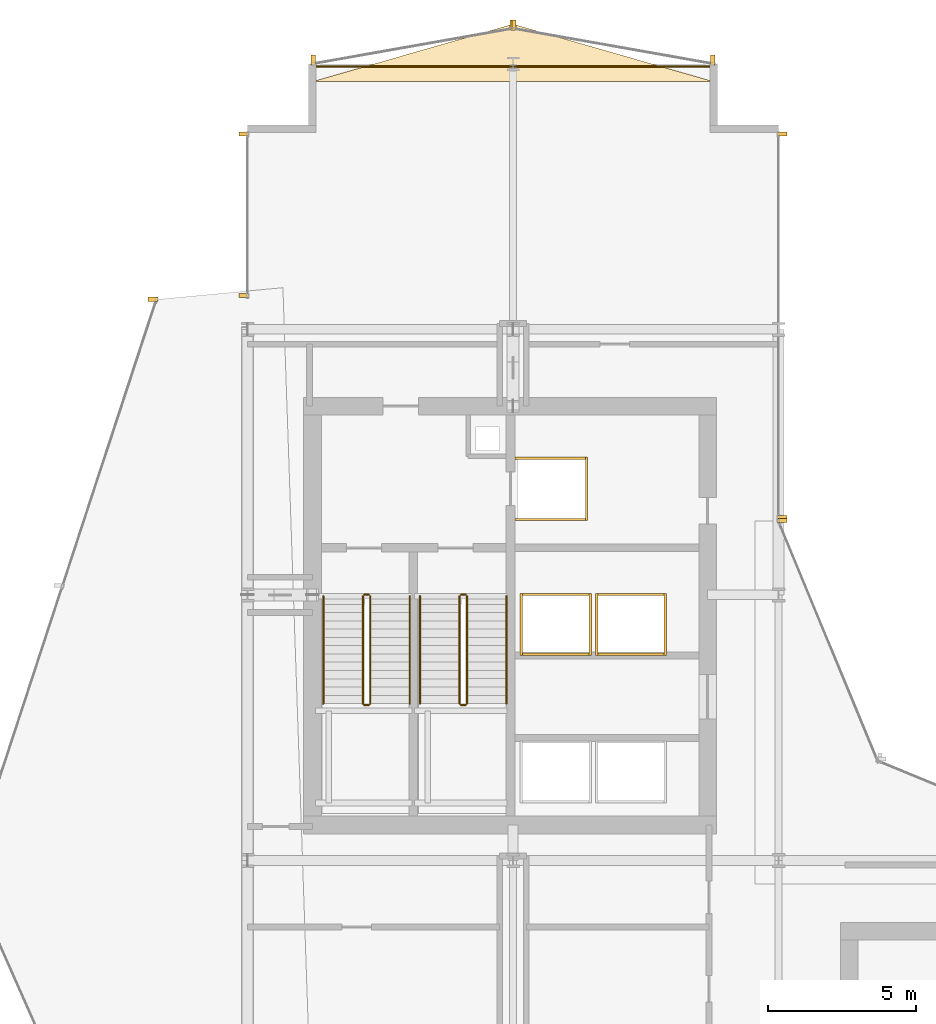
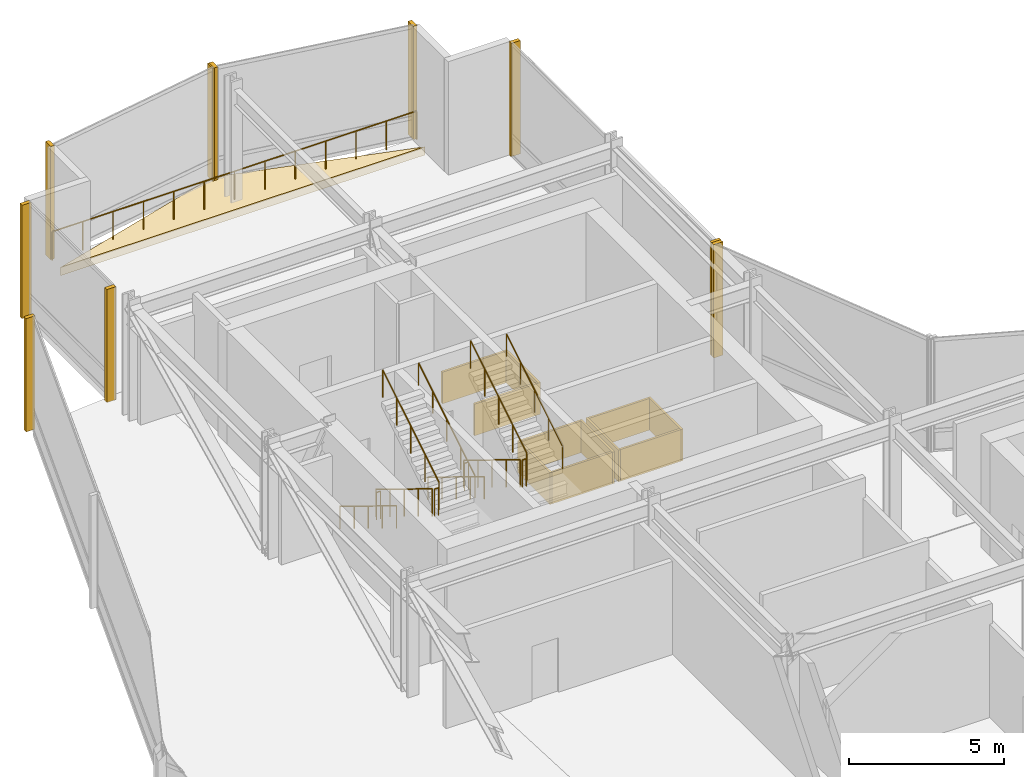
# One storey, part 41 of 42: 13 railings, 12 coverings, 10 shading devices.
"""IFC4 building model written with IfcOpenShell, lengths in metres."""

from ifc_helpers import new_model, si_unit, direction, frame, origin, origin_2d, place, context, subcontext, project, spatial, polyline, rectangle, circle, outline, extrude, material, layer, layer_set, type_object, element, save


model = new_model("IFC4")

# Units and contexts
model_context = context("Model", 3, precision=1e-05, world=origin(), true_north=direction((0.0, 1.0)))
body_context = subcontext(model_context, "Body", "Model", "MODEL_VIEW")
ifc_project = project(units=[si_unit("LENGTHUNIT", "METRE"), si_unit("AREAUNIT", "SQUARE_METRE"), si_unit("VOLUMEUNIT", "CUBIC_METRE"), si_unit("PLANEANGLEUNIT", "RADIAN"), si_unit("MASSUNIT", "GRAM", prefix="KILO")], contexts=[model_context])

# Site, building, storey
site_placement = place(None, origin())
site = spatial("IfcSite", under=ifc_project, at=site_placement, CompositionType="ELEMENT")
building_placement = place(site_placement, origin())
building = spatial("IfcBuilding", under=site, at=building_placement, Name="Solvaryn Broadcast Tower", CompositionType="ELEMENT")
storey_placement = place(building_placement, frame((0.0, 0.0, 100.199951171875)))
storey = spatial("IfcBuildingStorey", under=building, at=storey_placement, Name="L24", CompositionType="ELEMENT", Elevation=100.199951171875)

# Coverings
ifc_material_1 = material(Name="Fire-Rated Gypsum Shaftwall Liner", Category="concrete")
ifc_layer_1 = layer(ifc_material_1, 0.080078125)
ifc_layer_set_1 = layer_set([ifc_layer_1], Name="CV-SHAFT-LINER")
covering_type_1 = type_object("IfcCoveringType", Name="CV-SHAFT-LINER", PredefinedType="CLADDING", material=ifc_layer_set_1)
for number, where, z_axis, x_axis, name in (
    (1, (19.300048828125, 40.639892578125, 0.0), (0.0, 0.0, 1.0), (1.0, 0.0, 0.0), "L24 FL1 Hoistway Shaft Liner North"),
    (2, (19.300048828125, 38.56005859375, 0.0), (0.0, 0.0, 1.0), (1.0, 0.0, 0.0), "L24 FL1 Hoistway Shaft Liner South"),
):
    element("IfcCovering", number, at=place(storey_placement, frame(where, z_axis=z_axis, x_axis=x_axis)), inside=storey, type_object=covering_type_1, Name=name, PredefinedType="CLADDING", context=body_context, shape_type="SweptSolid", body=[
        extrude(rectangle(XDim=2.4599609375, YDim=0.080078125, at=origin_2d()), origin(), (0.0, 0.0, 1.0), 1.25),
    ])
covering_1_placement = place(storey_placement, frame((20.489990234375, 39.60009765625, 0.0), z_axis=(0.0, 0.0, 1.0), x_axis=(1.0, 0.0, 0.0)))
element("IfcCovering", 3, at=covering_1_placement, inside=storey, type_object=covering_type_1, Name="L24 FL1 Hoistway Shaft Liner East", PredefinedType="CLADDING", context=body_context, shape_type="SweptSolid", body=[
    extrude(rectangle(XDim=0.080078125, YDim=2.159912109375, at=origin_2d()), origin(), (0.0, 0.0, 1.0), 1.25),
])
for number, where, z_axis, x_axis, name in (
    (4, (19.449951171875, 36.014892578125, 0.0), (0.0, 0.0, 1.0), (1.0, 0.0, 0.0), "L24 PH3 Hoistway Shaft Liner North"),
    (5, (19.449951171875, 33.985107421875, 0.0), (0.0, 0.0, 1.0), (1.0, 0.0, 0.0), "L24 PH3 Hoistway Shaft Liner South"),
):
    element("IfcCovering", number, at=place(storey_placement, frame(where, z_axis=z_axis, x_axis=x_axis)), inside=storey, type_object=covering_type_1, Name=name, PredefinedType="CLADDING", context=body_context, shape_type="SweptSolid", body=[
        extrude(rectangle(XDim=2.409912109375, YDim=0.080078125, at=origin_2d()), origin(), (0.0, 0.0, 1.0), 1.25),
    ])
for number, where, z_axis, x_axis, name in (
    (6, (20.614990234375, 35.0, 0.0), (0.0, 0.0, 1.0), (1.0, 0.0, 0.0), "L24 PH3 Hoistway Shaft Liner East"),
    (7, (18.284912109375, 35.0, 0.0), (0.0, 0.0, 1.0), (1.0, 0.0, 0.0), "L24 PH3 Hoistway Shaft Liner West"),
):
    element("IfcCovering", number, at=place(storey_placement, frame(where, z_axis=z_axis, x_axis=x_axis)), inside=storey, type_object=covering_type_1, Name=name, PredefinedType="CLADDING", context=body_context, shape_type="SweptSolid", body=[
        extrude(rectangle(XDim=0.080078125, YDim=2.110107421875, at=origin_2d()), origin(), (0.0, 0.0, 1.0), 1.25),
    ])
for number, where, z_axis, x_axis, name in (
    (8, (22.0, 36.014892578125, 0.0), (0.0, 0.0, 1.0), (1.0, 0.0, 0.0), "L24 PH4 Hoistway Shaft Liner North"),
    (9, (22.0, 33.985107421875, 0.0), (0.0, 0.0, 1.0), (1.0, 0.0, 0.0), "L24 PH4 Hoistway Shaft Liner South"),
):
    element("IfcCovering", number, at=place(storey_placement, frame(where, z_axis=z_axis, x_axis=x_axis)), inside=storey, type_object=covering_type_1, Name=name, PredefinedType="CLADDING", context=body_context, shape_type="SweptSolid", body=[
        extrude(rectangle(XDim=2.409912109375, YDim=0.080078125, at=origin_2d()), origin(), (0.0, 0.0, 1.0), 1.25),
    ])
for number, where, z_axis, x_axis, name in (
    (10, (23.1650390625, 35.0, 0.0), (0.0, 0.0, 1.0), (1.0, 0.0, 0.0), "L24 PH4 Hoistway Shaft Liner East"),
    (11, (20.8349609375, 35.0, 0.0), (0.0, 0.0, 1.0), (1.0, 0.0, 0.0), "L24 PH4 Hoistway Shaft Liner West"),
):
    element("IfcCovering", number, at=place(storey_placement, frame(where, z_axis=z_axis, x_axis=x_axis)), inside=storey, type_object=covering_type_1, Name=name, PredefinedType="CLADDING", context=body_context, shape_type="SweptSolid", body=[
        extrude(rectangle(XDim=0.080078125, YDim=2.110107421875, at=origin_2d()), origin(), (0.0, 0.0, 1.0), 1.25),
    ])
ifc_material_2 = material(Name="Sculpted Architectural Terracotta Wave Fascia", Category="masonry")
ifc_layer_2 = layer(ifc_material_2, 0.340087890625)
ifc_layer_set_2 = layer_set([ifc_layer_2], Name="CV-WAVE-TRAY")
covering_type_2 = type_object("IfcCoveringType", Name="CV-WAVE-TRAY", PredefinedType="CLADDING", material=ifc_layer_set_2)
covering_2_placement = place(storey_placement, frame((0.0, 0.0, -0.300048828125)))
element("IfcCovering", 12, at=covering_2_placement, inside=storey, type_object=covering_type_2, Name="L24 North Curved Wing Deck", PredefinedType="CLADDING", context=body_context, shape_type="SweptSolid", body=[
    extrude(outline(polyline([(11.199951171875, 53.39990234375), (24.800048828125, 53.39990234375), (18.0, 55.35009765625), (11.199951171875, 53.39990234375)])), origin(), (0.0, 0.0, 1.0), 0.330078125),
])

# Railings
ifc_material_3 = material(Name="Painted Steel Stair Well Guard", Category="steel")
railing_type_1 = type_object("IfcRailingType", Name="RL-STAIR-GUARD", PredefinedType="BALUSTRADE", material=ifc_material_3)
railing_1_placement = place(storey_placement, frame((12.909912109375, 35.9599609375, 0.17138671875)))
element("IfcRailing", 13, at=railing_1_placement, inside=storey, type_object=railing_type_1, Name="L24 ST1 stair guard 1", PredefinedType="BALUSTRADE", context=body_context, shape_type="SweptSolid", body=[
    extrude(circle(Radius=0.02392578125, at=origin_2d()), frame((0.0, 0.0, 1.076171875), z_axis=(0.0, -0.852824790078, 0.522197163366), x_axis=(1.0, 0.0, 0.0)), (0.0, 0.0, 1.0), 4.26806640625),
    extrude(circle(Radius=0.02099609375, at=origin_2d()), origin(), (0.0, 0.0, 1.0), 1.052001953125),
    extrude(circle(Radius=0.02099609375, at=origin_2d()), frame((0.0, -0.909912109375, 0.55712890625)), (0.0, 0.0, 1.0), 1.052001953125),
    extrude(circle(Radius=0.02099609375, at=origin_2d()), frame((0.0, -1.81982421875, 1.1142578125)), (0.0, 0.0, 1.0), 1.052001953125),
    extrude(circle(Radius=0.02099609375, at=origin_2d()), frame((0.0, -2.72998046875, 1.671630859375)), (0.0, 0.0, 1.0), 1.052001953125),
    extrude(circle(Radius=0.02099609375, at=origin_2d()), frame((0.0, -3.639892578125, 2.228759765625)), (0.0, 0.0, 1.0), 1.052001953125),
])
railing_2_placement = place(storey_placement, frame((12.9599609375, 32.27001953125, 2.400146484375)))
element("IfcRailing", 14, at=railing_2_placement, inside=storey, type_object=railing_type_1, Name="L24 ST1 stair guard 2", PredefinedType="BALUSTRADE", context=body_context, shape_type="SweptSolid", body=[
    extrude(circle(Radius=0.02392578125, at=origin_2d()), frame((0.0, 0.0, 1.076171875), z_axis=(1.0, 0.0, 0.0), x_axis=(0.0, 1.0, 0.0)), (0.0, 0.0, 1.0), 0.150146484375),
    extrude(circle(Radius=0.02099609375, at=origin_2d()), origin(), (0.0, 0.0, 1.0), 1.052001953125),
    extrude(circle(Radius=0.02099609375, at=origin_2d()), frame((0.150146484375, 0.0, 0.0)), (0.0, 0.0, 1.0), 1.052001953125),
])
railing_3_placement = place(storey_placement, frame((13.159912109375, 32.320068359375, 2.571533203125)))
element("IfcRailing", 15, at=railing_3_placement, inside=storey, type_object=railing_type_1, Name="L24 ST1 stair guard 3", PredefinedType="BALUSTRADE", context=body_context, shape_type="SweptSolid", body=[
    extrude(circle(Radius=0.02392578125, at=origin_2d()), frame((0.0, 0.0, 1.076171875), z_axis=(0.0, 0.852850264322, 0.5221555579), x_axis=(-1.0, 0.0, 0.0)), (0.0, 0.0, 1.0), 4.267822265625),
    extrude(circle(Radius=0.02099609375, at=origin_2d()), origin(), (0.0, 0.0, 1.0), 1.052001953125),
    extrude(circle(Radius=0.02099609375, at=origin_2d()), frame((0.0, 0.909912109375, 0.55712890625)), (0.0, 0.0, 1.0), 1.052001953125),
    extrude(circle(Radius=0.02099609375, at=origin_2d()), frame((0.0, 1.81982421875, 1.1142578125)), (0.0, 0.0, 1.0), 1.052001953125),
    extrude(circle(Radius=0.02099609375, at=origin_2d()), frame((0.0, 2.72998046875, 1.67138671875)), (0.0, 0.0, 1.0), 1.052001953125),
    extrude(circle(Radius=0.02099609375, at=origin_2d()), frame((0.0, 3.639892578125, 2.228515625)), (0.0, 0.0, 1.0), 1.052001953125),
])
railing_4_placement = place(storey_placement, frame((12.9599609375, 36.010009765625, 0.0)))
element("IfcRailing", 16, at=railing_4_placement, inside=storey, type_object=railing_type_1, Name="L24 ST1 stair guard 4", PredefinedType="BALUSTRADE", context=body_context, shape_type="SweptSolid", body=[
    extrude(circle(Radius=0.02392578125, at=origin_2d()), frame((0.0, 0.0, 1.076171875), z_axis=(1.0, 0.0, 0.0), x_axis=(0.0, 1.0, 0.0)), (0.0, 0.0, 1.0), 0.150146484375),
    extrude(circle(Radius=0.02099609375, at=origin_2d()), origin(), (0.0, 0.0, 1.0), 1.052001953125),
    extrude(circle(Radius=0.02099609375, at=origin_2d()), frame((0.150146484375, 0.0, 0.0)), (0.0, 0.0, 1.0), 1.052001953125),
])
railing_5_placement = place(storey_placement, frame((16.18994140625, 35.9599609375, 0.17138671875)))
element("IfcRailing", 17, at=railing_5_placement, inside=storey, type_object=railing_type_1, Name="L24 ST2 stair guard 1", PredefinedType="BALUSTRADE", context=body_context, shape_type="SweptSolid", body=[
    extrude(circle(Radius=0.02392578125, at=origin_2d()), frame((0.0, 0.0, 1.076171875), z_axis=(0.0, -0.852824790078, 0.522197163366), x_axis=(1.0, 0.0, 0.0)), (0.0, 0.0, 1.0), 4.26806640625),
    extrude(circle(Radius=0.02099609375, at=origin_2d()), origin(), (0.0, 0.0, 1.0), 1.052001953125),
    extrude(circle(Radius=0.02099609375, at=origin_2d()), frame((0.0, -0.909912109375, 0.55712890625)), (0.0, 0.0, 1.0), 1.052001953125),
    extrude(circle(Radius=0.02099609375, at=origin_2d()), frame((0.0, -1.81982421875, 1.1142578125)), (0.0, 0.0, 1.0), 1.052001953125),
    extrude(circle(Radius=0.02099609375, at=origin_2d()), frame((0.0, -2.72998046875, 1.671630859375)), (0.0, 0.0, 1.0), 1.052001953125),
    extrude(circle(Radius=0.02099609375, at=origin_2d()), frame((0.0, -3.639892578125, 2.228759765625)), (0.0, 0.0, 1.0), 1.052001953125),
])
railing_6_placement = place(storey_placement, frame((16.239990234375, 32.27001953125, 2.400146484375)))
element("IfcRailing", 18, at=railing_6_placement, inside=storey, type_object=railing_type_1, Name="L24 ST2 stair guard 2", PredefinedType="BALUSTRADE", context=body_context, shape_type="SweptSolid", body=[
    extrude(circle(Radius=0.02392578125, at=origin_2d()), frame((0.0, 0.0, 1.076171875), z_axis=(1.0, 0.0, 0.0), x_axis=(0.0, 1.0, 0.0)), (0.0, 0.0, 1.0), 0.14990234375),
    extrude(circle(Radius=0.02099609375, at=origin_2d()), origin(), (0.0, 0.0, 1.0), 1.052001953125),
    extrude(circle(Radius=0.02099609375, at=origin_2d()), frame((0.14990234375, 0.0, 0.0)), (0.0, 0.0, 1.0), 1.052001953125),
])
railing_7_placement = place(storey_placement, frame((16.43994140625, 32.320068359375, 2.571533203125)))
element("IfcRailing", 19, at=railing_7_placement, inside=storey, type_object=railing_type_1, Name="L24 ST2 stair guard 3", PredefinedType="BALUSTRADE", context=body_context, shape_type="SweptSolid", body=[
    extrude(circle(Radius=0.02392578125, at=origin_2d()), frame((0.0, 0.0, 1.076171875), z_axis=(0.0, 0.852850264322, 0.5221555579), x_axis=(-1.0, 0.0, 0.0)), (0.0, 0.0, 1.0), 4.267822265625),
    extrude(circle(Radius=0.02099609375, at=origin_2d()), origin(), (0.0, 0.0, 1.0), 1.052001953125),
    extrude(circle(Radius=0.02099609375, at=origin_2d()), frame((0.0, 0.909912109375, 0.55712890625)), (0.0, 0.0, 1.0), 1.052001953125),
    extrude(circle(Radius=0.02099609375, at=origin_2d()), frame((0.0, 1.81982421875, 1.1142578125)), (0.0, 0.0, 1.0), 1.052001953125),
    extrude(circle(Radius=0.02099609375, at=origin_2d()), frame((0.0, 2.72998046875, 1.67138671875)), (0.0, 0.0, 1.0), 1.052001953125),
    extrude(circle(Radius=0.02099609375, at=origin_2d()), frame((0.0, 3.639892578125, 2.228515625)), (0.0, 0.0, 1.0), 1.052001953125),
])
railing_8_placement = place(storey_placement, frame((16.239990234375, 36.010009765625, 0.0)))
element("IfcRailing", 20, at=railing_8_placement, inside=storey, type_object=railing_type_1, Name="L24 ST2 stair guard 4", PredefinedType="BALUSTRADE", context=body_context, shape_type="SweptSolid", body=[
    extrude(circle(Radius=0.02392578125, at=origin_2d()), frame((0.0, 0.0, 1.076171875), z_axis=(1.0, 0.0, 0.0), x_axis=(0.0, 1.0, 0.0)), (0.0, 0.0, 1.0), 0.14990234375),
    extrude(circle(Radius=0.02099609375, at=origin_2d()), origin(), (0.0, 0.0, 1.0), 1.052001953125),
    extrude(circle(Radius=0.02099609375, at=origin_2d()), frame((0.14990234375, 0.0, 0.0)), (0.0, 0.0, 1.0), 1.052001953125),
])
ifc_material_4 = material(Name="Brushed Stainless Steel Tubular Handrail", Category="steel")
railing_type_2 = type_object("IfcRailingType", Name="RL-STAIR-HANDRAIL", PredefinedType="HANDRAIL", material=ifc_material_4)
railing_9_placement = place(storey_placement, frame((11.570068359375, 35.9599609375, 0.17138671875)))
element("IfcRailing", 21, at=railing_9_placement, inside=storey, type_object=railing_type_2, Name="L24 ST1 stair handrail 1", PredefinedType="HANDRAIL", context=body_context, shape_type="SweptSolid", body=[
    extrude(circle(Radius=0.02392578125, at=origin_2d()), frame((0.0, 0.0, 0.8759765625), z_axis=(0.0, -0.852824790078, 0.522197163366), x_axis=(1.0, 0.0, 0.0)), (0.0, 0.0, 1.0), 4.26806640625),
    extrude(circle(Radius=0.02099609375, at=origin_2d()), origin(), (0.0, 0.0, 1.0), 0.851806640625),
    extrude(circle(Radius=0.02099609375, at=origin_2d()), frame((0.0, -0.909912109375, 0.55712890625)), (0.0, 0.0, 1.0), 0.851806640625),
    extrude(circle(Radius=0.02099609375, at=origin_2d()), frame((0.0, -1.81982421875, 1.1142578125)), (0.0, 0.0, 1.0), 0.851806640625),
    extrude(circle(Radius=0.02099609375, at=origin_2d()), frame((0.0, -2.72998046875, 1.671630859375)), (0.0, 0.0, 1.0), 0.851806640625),
    extrude(circle(Radius=0.02099609375, at=origin_2d()), frame((0.0, -3.639892578125, 2.228759765625)), (0.0, 0.0, 1.0), 0.851806640625),
])
railing_10_placement = place(storey_placement, frame((14.5, 32.320068359375, 2.571533203125)))
element("IfcRailing", 22, at=railing_10_placement, inside=storey, type_object=railing_type_2, Name="L24 ST1 stair handrail 2", PredefinedType="HANDRAIL", context=body_context, shape_type="SweptSolid", body=[
    extrude(circle(Radius=0.02392578125, at=origin_2d()), frame((0.0, 0.0, 0.8759765625), z_axis=(0.0, 0.852850264322, 0.5221555579), x_axis=(-1.0, 0.0, 0.0)), (0.0, 0.0, 1.0), 4.267822265625),
    extrude(circle(Radius=0.02099609375, at=origin_2d()), origin(), (0.0, 0.0, 1.0), 0.851806640625),
    extrude(circle(Radius=0.02099609375, at=origin_2d()), frame((0.0, 0.909912109375, 0.55712890625)), (0.0, 0.0, 1.0), 0.851806640625),
    extrude(circle(Radius=0.02099609375, at=origin_2d()), frame((0.0, 1.81982421875, 1.1142578125)), (0.0, 0.0, 1.0), 0.851806640625),
    extrude(circle(Radius=0.02099609375, at=origin_2d()), frame((0.0, 2.72998046875, 1.67138671875)), (0.0, 0.0, 1.0), 0.851806640625),
    extrude(circle(Radius=0.02099609375, at=origin_2d()), frame((0.0, 3.639892578125, 2.228515625)), (0.0, 0.0, 1.0), 0.851806640625),
])
railing_11_placement = place(storey_placement, frame((14.85009765625, 35.9599609375, 0.17138671875)))
element("IfcRailing", 23, at=railing_11_placement, inside=storey, type_object=railing_type_2, Name="L24 ST2 stair handrail 1", PredefinedType="HANDRAIL", context=body_context, shape_type="SweptSolid", body=[
    extrude(circle(Radius=0.02392578125, at=origin_2d()), frame((0.0, 0.0, 0.8759765625), z_axis=(0.0, -0.852824790078, 0.522197163366), x_axis=(1.0, 0.0, 0.0)), (0.0, 0.0, 1.0), 4.26806640625),
    extrude(circle(Radius=0.02099609375, at=origin_2d()), origin(), (0.0, 0.0, 1.0), 0.851806640625),
    extrude(circle(Radius=0.02099609375, at=origin_2d()), frame((0.0, -0.909912109375, 0.55712890625)), (0.0, 0.0, 1.0), 0.851806640625),
    extrude(circle(Radius=0.02099609375, at=origin_2d()), frame((0.0, -1.81982421875, 1.1142578125)), (0.0, 0.0, 1.0), 0.851806640625),
    extrude(circle(Radius=0.02099609375, at=origin_2d()), frame((0.0, -2.72998046875, 1.671630859375)), (0.0, 0.0, 1.0), 0.851806640625),
    extrude(circle(Radius=0.02099609375, at=origin_2d()), frame((0.0, -3.639892578125, 2.228759765625)), (0.0, 0.0, 1.0), 0.851806640625),
])
railing_12_placement = place(storey_placement, frame((17.780029296875, 32.320068359375, 2.571533203125)))
element("IfcRailing", 24, at=railing_12_placement, inside=storey, type_object=railing_type_2, Name="L24 ST2 stair handrail 2", PredefinedType="HANDRAIL", context=body_context, shape_type="SweptSolid", body=[
    extrude(circle(Radius=0.02392578125, at=origin_2d()), frame((0.0, 0.0, 0.8759765625), z_axis=(0.0, 0.852850264322, 0.5221555579), x_axis=(-1.0, 0.0, 0.0)), (0.0, 0.0, 1.0), 4.267822265625),
    extrude(circle(Radius=0.02099609375, at=origin_2d()), origin(), (0.0, 0.0, 1.0), 0.851806640625),
    extrude(circle(Radius=0.02099609375, at=origin_2d()), frame((0.0, 0.909912109375, 0.55712890625)), (0.0, 0.0, 1.0), 0.851806640625),
    extrude(circle(Radius=0.02099609375, at=origin_2d()), frame((0.0, 1.81982421875, 1.1142578125)), (0.0, 0.0, 1.0), 0.851806640625),
    extrude(circle(Radius=0.02099609375, at=origin_2d()), frame((0.0, 2.72998046875, 1.67138671875)), (0.0, 0.0, 1.0), 0.851806640625),
    extrude(circle(Radius=0.02099609375, at=origin_2d()), frame((0.0, 3.639892578125, 2.228515625)), (0.0, 0.0, 1.0), 0.851806640625),
])
ifc_material_5 = material(Name="Stainless Steel and Laminated Glass Guard", Category="steel")
railing_type_3 = type_object("IfcRailingType", Name="RL-TER-1150", PredefinedType="BALUSTRADE", material=ifc_material_5)
railing_13_placement = place(storey_placement, frame((11.199951171875, 53.919921875, 0.0)))
element("IfcRailing", 25, at=railing_13_placement, inside=storey, type_object=railing_type_3, Name="L24 North Wing Spandrel Edge Guard", PredefinedType="BALUSTRADE", context=body_context, shape_type="SweptSolid", body=[
    extrude(circle(Radius=0.02392578125, at=origin_2d()), frame((0.0, 0.0, 1.1259765625), z_axis=(1.0, 0.0, 0.0), x_axis=(0.0, 1.0, 0.0)), (0.0, 0.0, 1.0), 13.60009765625),
    extrude(circle(Radius=0.02099609375, at=origin_2d()), origin(), (0.0, 0.0, 1.0), 1.101806640625),
    extrude(circle(Radius=0.02099609375, at=origin_2d()), frame((1.13330078125, 0.0, 0.0)), (0.0, 0.0, 1.0), 1.101806640625),
    extrude(circle(Radius=0.02099609375, at=origin_2d()), frame((2.2666015625, 0.0, 0.0)), (0.0, 0.0, 1.0), 1.101806640625),
    extrude(circle(Radius=0.02099609375, at=origin_2d()), frame((3.39990234375, 0.0, 0.0)), (0.0, 0.0, 1.0), 1.101806640625),
    extrude(circle(Radius=0.02099609375, at=origin_2d()), frame((4.533447265625, 0.0, 0.0)), (0.0, 0.0, 1.0), 1.101806640625),
    extrude(circle(Radius=0.02099609375, at=origin_2d()), frame((5.666748046875, 0.0, 0.0)), (0.0, 0.0, 1.0), 1.101806640625),
    extrude(circle(Radius=0.02099609375, at=origin_2d()), frame((6.800048828125, 0.0, 0.0)), (0.0, 0.0, 1.0), 1.101806640625),
    extrude(circle(Radius=0.02099609375, at=origin_2d()), frame((7.933349609375, 0.0, 0.0)), (0.0, 0.0, 1.0), 1.101806640625),
    extrude(circle(Radius=0.02099609375, at=origin_2d()), frame((9.066650390625, 0.0, 0.0)), (0.0, 0.0, 1.0), 1.101806640625),
    extrude(circle(Radius=0.02099609375, at=origin_2d()), frame((10.2001953125, 0.0, 0.0)), (0.0, 0.0, 1.0), 1.101806640625),
    extrude(circle(Radius=0.02099609375, at=origin_2d()), frame((11.33349609375, 0.0, 0.0)), (0.0, 0.0, 1.0), 1.101806640625),
    extrude(circle(Radius=0.02099609375, at=origin_2d()), frame((12.466796875, 0.0, 0.0)), (0.0, 0.0, 1.0), 1.101806640625),
    extrude(circle(Radius=0.02099609375, at=origin_2d()), frame((13.60009765625, 0.0, 0.0)), (0.0, 0.0, 1.0), 1.101806640625),
])

# Shading devices
ifc_material_6 = material(Name="Anodised Aluminium Acoustic Louvre", Category="aluminium")
shading_device_type = type_object("IfcShadingDeviceType", Name="LV-01 Plant Intake Louvre", PredefinedType="USERDEFINED", material=ifc_material_6)
for number, where, z_axis, x_axis, name in (
    (26, (5.792724609375, 46.02490234375, 0.0), (0.0, 0.0, 1.0), (1.0, 0.0, 0.0), "L24 Plant Acoustic Louvre LV-CW-L24-DR1/M00"),
    (27, (8.875, 46.14599609375, 0.0), (0.0, 0.0, 1.0), (1.0, 0.0, 0.0), "L24 Plant Acoustic Louvre LV-CW-L24-W2/M00"),
    (28, (8.875, 51.6201171875, 0.0), (0.0, 0.0, 1.0), (1.0, 0.0, 0.0), "L24 Plant Acoustic Louvre LV-CW-L24-W2/M01"),
    (29, (27.125, 51.6201171875, 0.0), (0.0, 0.0, 1.0), (1.0, 0.0, 0.0), "L24 Plant Acoustic Louvre LV-CW-L24-IV/M00"),
    (30, (27.125, 38.6298828125, 0.0), (0.0, 0.0, 1.0), (1.0, 0.0, 0.0), "L24 Plant Acoustic Louvre LV-CW-L24-IV/M01"),
    (31, (27.12255859375, 38.518310546875, 0.0), (0.0, 0.0, 1.0), (1.0, 0.0, 0.0), "L24 Plant Acoustic Louvre LV-CW-L24-CN2/M01"),
):
    element("IfcShadingDevice", number, at=place(storey_placement, frame(where, z_axis=z_axis, x_axis=x_axis)), inside=storey, type_object=shading_device_type, Name=name, ObjectType="LOUVRE", PredefinedType="USERDEFINED", context=body_context, shape_type="SweptSolid", body=[
        extrude(rectangle(XDim=0.340087890625, YDim=0.139892578125, at=origin_2d()), origin(), (0.0, 0.0, 1.0), 4.469970703125),
    ])
for number, where, z_axis, x_axis, name in (
    (32, (24.7705078125, 54.130126953125, 0.0), (0.0, 0.0, 1.0), (1.0, 0.0, 0.0), "L24 Plant Acoustic Louvre LV-CW-L24-NT1/M00"),
    (33, (18.029541015625, 55.31982421875, 0.0), (0.0, 0.0, 1.0), (1.0, 0.0, 0.0), "L24 Plant Acoustic Louvre LV-CW-L24-NT1/M01"),
    (34, (17.970458984375, 55.31982421875, 0.0), (0.0, 0.0, 1.0), (1.0, 0.0, 0.0), "L24 Plant Acoustic Louvre LV-CW-L24-NT2/M00"),
    (35, (11.2294921875, 54.130126953125, 0.0), (0.0, 0.0, 1.0), (1.0, 0.0, 0.0), "L24 Plant Acoustic Louvre LV-CW-L24-NT2/M01"),
):
    element("IfcShadingDevice", number, at=place(storey_placement, frame(where, z_axis=z_axis, x_axis=x_axis)), inside=storey, type_object=shading_device_type, Name=name, ObjectType="LOUVRE", PredefinedType="USERDEFINED", context=body_context, shape_type="SweptSolid", body=[
        extrude(rectangle(XDim=0.139892578125, YDim=0.340087890625, at=origin_2d()), origin(), (0.0, 0.0, 1.0), 4.469970703125),
    ])

save(model, "model.ifc")
